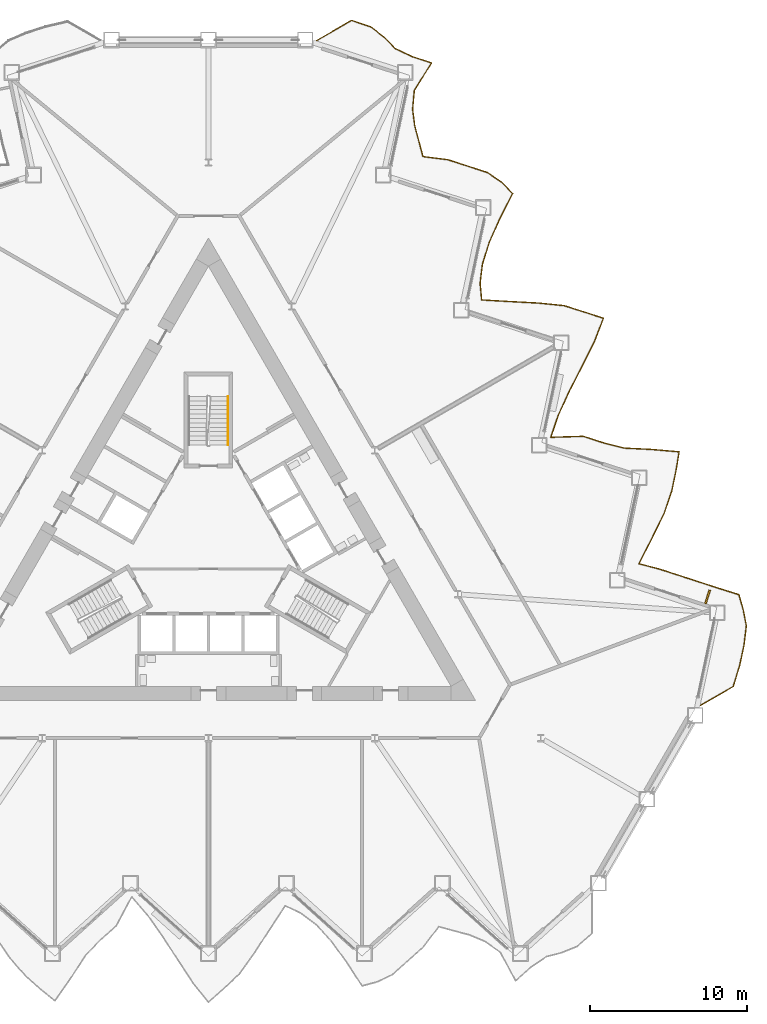
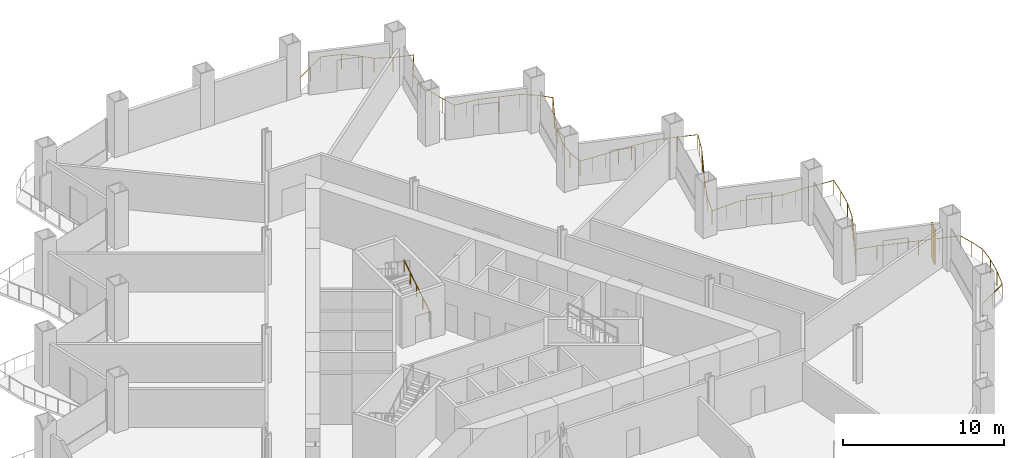
# One storey, part 18 of 20: 2 railings, 1 shading device.
"""IFC4 building model written with IfcOpenShell, lengths in metres."""

from ifc_helpers import new_model, si_unit, direction, frame, origin, origin_2d, place, context, subcontext, project, spatial, rectangle, circle, extrude, material, layer, layer_set, type_object, element, save


model = new_model("IFC4")

# Units and contexts
model_context = context("Model", 3, precision=1e-05, world=origin(), true_north=direction((0.0, 1.0)))
body_context = subcontext(model_context, "Body", "Model", "MODEL_VIEW")
ifc_project = project(units=[si_unit("LENGTHUNIT", "METRE"), si_unit("AREAUNIT", "SQUARE_METRE"), si_unit("VOLUMEUNIT", "CUBIC_METRE"), si_unit("PLANEANGLEUNIT", "RADIAN"), si_unit("MASSUNIT", "GRAM", prefix="KILO")], contexts=[model_context])

# Site, building, storey
site_placement = place(None, origin())
site = spatial("IfcSite", under=ifc_project, at=site_placement, CompositionType="ELEMENT")
building_placement = place(site_placement, origin())
building = spatial("IfcBuilding", under=site, at=building_placement, Name="Cormorant Prow Tower", CompositionType="ELEMENT")
storey_placement = place(building_placement, frame((0.0, 0.0, 55.199951171875)))
storey = spatial("IfcBuildingStorey", under=building, at=storey_placement, Name="L11", CompositionType="ELEMENT", Elevation=55.199951171875)

# Railings
ifc_material_1 = material(Name="Aluminium 6063-T6", Category="aluminium")
railing_type_1 = type_object("IfcRailingType", Name="Balcony guard 1100", PredefinedType="GUARDRAIL", material=ifc_material_1)
railing_1_placement = place(storey_placement, frame((31.3291015625, -10.131591796875, 0.0)))
element("IfcRailing", 1, at=railing_1_placement, inside=storey, type_object=railing_type_1, Name="Balcony guard ENE", PredefinedType="GUARDRAIL", context=body_context, shape_type="SweptSolid", body=[
    extrude(circle(Radius=0.02392578125, at=origin_2d()), frame((0.0, 0.0, 1.076171875), z_axis=(0.866028295127, 0.499994992015, 0.0), x_axis=(-0.499994992015, 0.866028295127, 0.0)), (0.0, 0.0, 1.0), 2.40380859375),
    extrude(circle(Radius=0.02392578125, at=origin_2d()), frame((2.081787109375, 1.201904296875, 1.076171875), z_axis=(0.291568684653, 0.956549895264, 0.0), x_axis=(-0.956549895264, 0.291568684653, 0.0)), (0.0, 0.0, 1.0), 1.431884765625),
    extrude(circle(Radius=0.02392578125, at=origin_2d()), frame((2.499267578125, 2.571533203125, 1.076171875), z_axis=(0.207843219599, 0.978162152236, 0.0), x_axis=(-0.978162152236, 0.207843219599, 0.0)), (0.0, 0.0, 1.0), 1.315673828125),
    extrude(circle(Radius=0.02392578125, at=origin_2d()), frame((2.772705078125, 3.8583984375, 1.076171875), z_axis=(0.119137338325, 0.99287778433, 0.0), x_axis=(-0.99287778433, 0.119137338325, 0.0)), (0.0, 0.0, 1.0), 1.221435546875),
    extrude(circle(Radius=0.02392578125, at=origin_2d()), frame((2.918212890625, 5.071044921875, 1.076171875), z_axis=(-0.192070964162, 0.981381039518, 0.0), x_axis=(-0.981381039518, -0.192070964162, 0.0)), (0.0, 0.0, 1.0), 1.033447265625),
    extrude(circle(Radius=0.02392578125, at=origin_2d()), frame((2.7197265625, 6.085205078125, 1.076171875), z_axis=(-0.277057369116, 0.960853378106, 0.0), x_axis=(-0.960853378106, -0.277057369116, 0.0)), (0.0, 0.0, 1.0), 1.007080078125),
    extrude(circle(Radius=0.02392578125, at=origin_2d()), frame((2.440673828125, 7.052978515625, 1.076171875), z_axis=(-0.954349059567, 0.298693609745, 0.0), x_axis=(-0.298693609745, -0.954349059567, 0.0)), (0.0, 0.0, 1.0), 1.328125),
    extrude(circle(Radius=0.02392578125, at=origin_2d()), frame((1.173095703125, 7.44970703125, 1.076171875), z_axis=(-0.95106815658, 0.308981166967, 0.0), x_axis=(-0.308981166967, -0.95106815658, 0.0)), (0.0, 0.0, 1.0), 1.315673828125),
    extrude(circle(Radius=0.02392578125, at=origin_2d()), frame((-0.078125, 7.856201171875, 1.076171875), z_axis=(-0.951050435231, 0.30903570934, 0.0), x_axis=(-0.30903570934, -0.951050435231, 0.0)), (0.0, 0.0, 1.0), 1.3154296875),
    extrude(circle(Radius=0.02392578125, at=origin_2d()), frame((-1.3291015625, 8.2626953125, 1.076171875), z_axis=(-0.95106815658, 0.308981166967, 0.0), x_axis=(-0.308981166967, -0.95106815658, 0.0)), (0.0, 0.0, 1.0), 1.315673828125),
    extrude(circle(Radius=0.02392578125, at=origin_2d()), frame((-2.580322265625, 8.669189453125, 1.076171875), z_axis=(-0.967233662094, 0.253887854991, 0.0), x_axis=(-0.253887854991, -0.967233662094, 0.0)), (0.0, 0.0, 1.0), 1.389404296875),
    extrude(circle(Radius=0.02392578125, at=origin_2d()), frame((-3.92431640625, 9.02197265625, 1.076171875), z_axis=(0.45708818819, 0.889421378322, 0.0), x_axis=(-0.889421378322, 0.45708818819, 0.0)), (0.0, 0.0, 1.0), 1.8046875),
    extrude(circle(Radius=0.02392578125, at=origin_2d()), frame((-3.099365234375, 10.627197265625, 1.076171875), z_axis=(0.44063445979, 0.897686622851, 0.0), x_axis=(-0.897686622851, 0.44063445979, 0.0)), (0.0, 0.0, 1.0), 1.754638671875),
    extrude(circle(Radius=0.02392578125, at=origin_2d()), frame((-2.326171875, 12.202392578125, 1.076171875), z_axis=(0.325359186803, 0.945590503105, 0.0), x_axis=(-0.945590503105, 0.325359186803, 0.0)), (0.0, 0.0, 1.0), 1.489501953125),
    extrude(circle(Radius=0.02392578125, at=origin_2d()), frame((-1.841552734375, 13.61083984375, 1.076171875), z_axis=(0.207880954361, 0.978154133465, 0.0), x_axis=(-0.978154133465, 0.207880954361, 0.0)), (0.0, 0.0, 1.0), 1.3154296875),
    extrude(circle(Radius=0.02392578125, at=origin_2d()), frame((-1.568115234375, 14.8974609375, 1.076171875), z_axis=(0.162739584214, 0.986669056842, 0.0), x_axis=(-0.986669056842, 0.162739584214, 0.0)), (0.0, 0.0, 1.0), 1.2646484375),
    extrude(circle(Radius=0.02392578125, at=origin_2d()), frame((-1.3623046875, 16.145263671875, 1.076171875), z_axis=(-0.996170344756, 0.087433656158, 0.0), x_axis=(-0.087433656158, -0.996170344756, 0.0)), (0.0, 0.0, 1.0), 1.703369140625),
    extrude(circle(Radius=0.02392578125, at=origin_2d()), frame((-3.05908203125, 16.294189453125, 1.076171875), z_axis=(-0.998770844502, 0.049566119198, 0.0), x_axis=(-0.049566119198, -0.998770844502, 0.0)), (0.0, 0.0, 1.0), 1.802734375),
    extrude(circle(Radius=0.02392578125, at=origin_2d()), frame((-4.859619140625, 16.383544921875, 1.076171875), z_axis=(-0.969139593685, 0.24651257159, 0.0), x_axis=(-0.24651257159, -0.969139593685, 0.0)), (0.0, 0.0, 1.0), 1.400390625),
    extrude(circle(Radius=0.02392578125, at=origin_2d()), frame((-6.216796875, 16.728759765625, 1.076171875), z_axis=(-0.951122678146, 0.308813294914, 0.0), x_axis=(-0.308813294914, -0.951122678146, 0.0)), (0.0, 0.0, 1.0), 1.3154296875),
    extrude(circle(Radius=0.02392578125, at=origin_2d()), frame((-7.468017578125, 17.135009765625, 1.076171875), z_axis=(-0.999524557698, -0.030832751396, 0.0), x_axis=(0.030832751396, -0.999524557698, 0.0)), (0.0, 0.0, 1.0), 2.066650390625),
    extrude(circle(Radius=0.02392578125, at=origin_2d()), frame((-9.53369140625, 17.0712890625, 1.076171875), z_axis=(0.322292029461, 0.946640294804, 0.0), x_axis=(-0.946640294804, 0.322292029461, 0.0)), (0.0, 0.0, 1.0), 1.48388671875),
    extrude(circle(Radius=0.02392578125, at=origin_2d()), frame((-9.055419921875, 18.47607421875, 1.076171875), z_axis=(0.417271310622, 0.908781961381, 0.0), x_axis=(-0.908781961381, 0.417271310622, 0.0)), (0.0, 0.0, 1.0), 1.6904296875),
    extrude(circle(Radius=0.02392578125, at=origin_2d()), frame((-8.35009765625, 20.01220703125, 1.076171875), z_axis=(0.455498311896, 0.890236647111, 0.0), x_axis=(-0.890236647111, 0.455498311896, 0.0)), (0.0, 0.0, 1.0), 1.79931640625),
    extrude(circle(Radius=0.02392578125, at=origin_2d()), frame((-7.530517578125, 21.614013671875, 1.076171875), z_axis=(0.446497072921, 0.894785093681, 0.0), x_axis=(-0.894785093681, 0.446497072921, 0.0)), (0.0, 0.0, 1.0), 1.772216796875),
    extrude(circle(Radius=0.02392578125, at=origin_2d()), frame((-6.7392578125, 23.19970703125, 1.076171875), z_axis=(0.358431464982, 0.933556042726, 0.0), x_axis=(-0.933556042726, 0.358431464982, 0.0)), (0.0, 0.0, 1.0), 1.5537109375),
    extrude(circle(Radius=0.02392578125, at=origin_2d()), frame((-6.182373046875, 24.650146484375, 1.076171875), z_axis=(-0.951122678146, 0.308813294914, 0.0), x_axis=(-0.308813294914, -0.951122678146, 0.0)), (0.0, 0.0, 1.0), 1.3154296875),
    extrude(circle(Radius=0.02392578125, at=origin_2d()), frame((-7.43359375, 25.056396484375, 1.076171875), z_axis=(-0.953643881529, 0.300937447358, 0.0), x_axis=(-0.300937447358, -0.953643881529, 0.0)), (0.0, 0.0, 1.0), 1.32568359375),
    extrude(circle(Radius=0.02392578125, at=origin_2d()), frame((-8.69775390625, 25.455322265625, 1.076171875), z_axis=(-0.995097574217, 0.09889801711, 0.0), x_axis=(-0.09889801711, -0.995097574217, 0.0)), (0.0, 0.0, 1.0), 1.67626953125),
    extrude(circle(Radius=0.02392578125, at=origin_2d()), frame((-10.36572265625, 25.62109375, 1.076171875), z_axis=(-0.998635801045, 0.052216251035, 0.0), x_axis=(-0.052216251035, -0.998635801045, 0.0)), (0.0, 0.0, 1.0), 1.79541015625),
    extrude(circle(Radius=0.02392578125, at=origin_2d()), frame((-12.15869140625, 25.71484375, 1.076171875), z_axis=(-0.998322755182, 0.057893665341, 0.0), x_axis=(-0.057893665341, -0.998322755182, 0.0)), (0.0, 0.0, 1.0), 1.779541015625),
    extrude(circle(Radius=0.02392578125, at=origin_2d()), frame((-13.935302734375, 25.81787109375, 1.076171875), z_axis=(-0.091415167566, 0.99581286753, 0.0), x_axis=(-0.99581286753, -0.091415167566, 0.0)), (0.0, 0.0, 1.0), 1.076171875),
    extrude(circle(Radius=0.02392578125, at=origin_2d()), frame((-14.03369140625, 26.8896484375, 1.076171875), z_axis=(0.123863168614, 0.992299307397, 0.0), x_axis=(-0.992299307397, 0.123863168614, 0.0)), (0.0, 0.0, 1.0), 1.22607421875),
    extrude(circle(Radius=0.02392578125, at=origin_2d()), frame((-13.8818359375, 28.106201171875, 1.076171875), z_axis=(0.30028303129, 0.95385014605, 0.0), x_axis=(-0.95385014605, 0.30028303129, 0.0)), (0.0, 0.0, 1.0), 1.4462890625),
    extrude(circle(Radius=0.02392578125, at=origin_2d()), frame((-13.447509765625, 29.48583984375, 1.076171875), z_axis=(0.406138466053, 0.91381154862, 0.0), x_axis=(-0.91381154862, 0.406138466053, 0.0)), (0.0, 0.0, 1.0), 1.66162109375),
    extrude(circle(Radius=0.02392578125, at=origin_2d()), frame((-12.772705078125, 31.004150390625, 1.076171875), z_axis=(0.452605619948, 0.891710801096, 0.0), x_axis=(-0.891710801096, 0.452605619948, 0.0)), (0.0, 0.0, 1.0), 1.790283203125),
    extrude(circle(Radius=0.02392578125, at=origin_2d()), frame((-11.96240234375, 32.6005859375, 1.076171875), z_axis=(-0.709392215106, 0.704813936544, 0.0), x_axis=(-0.704813936544, -0.709392215106, 0.0)), (0.0, 0.0, 1.0), 1.01318359375),
    extrude(circle(Radius=0.02392578125, at=origin_2d()), frame((-12.68115234375, 33.314697265625, 1.076171875), z_axis=(-0.823343636719, 0.567543175339, 0.0), x_axis=(-0.567543175339, -0.823343636719, 0.0)), (0.0, 0.0, 1.0), 1.082275390625),
    extrude(circle(Radius=0.02392578125, at=origin_2d()), frame((-13.572265625, 33.928955078125, 1.076171875), z_axis=(-0.951050435231, 0.30903570934, 0.0), x_axis=(-0.30903570934, -0.951050435231, 0.0)), (0.0, 0.0, 1.0), 1.3154296875),
    extrude(circle(Radius=0.02392578125, at=origin_2d()), frame((-14.8232421875, 34.33544921875, 1.076171875), z_axis=(-0.95106815658, 0.308981166967, 0.0), x_axis=(-0.308981166967, -0.95106815658, 0.0)), (0.0, 0.0, 1.0), 1.315673828125),
    extrude(circle(Radius=0.02392578125, at=origin_2d()), frame((-16.074462890625, 34.741943359375, 1.076171875), z_axis=(-0.991950992504, 0.126622385348, 0.0), x_axis=(-0.126622385348, -0.991950992504, 0.0)), (0.0, 0.0, 1.0), 1.61376953125),
    extrude(circle(Radius=0.02392578125, at=origin_2d()), frame((-17.67529296875, 34.9462890625, 1.076171875), z_axis=(-0.253912214246, 0.967227267738, 0.0), x_axis=(-0.967227267738, -0.253912214246, 0.0)), (0.0, 0.0, 1.0), 1.013427734375),
    extrude(circle(Radius=0.02392578125, at=origin_2d()), frame((-17.9326171875, 35.926513671875, 1.076171875), z_axis=(-0.261687233398, 0.965152729819, 0.0), x_axis=(-0.965152729819, -0.261687233398, 0.0)), (0.0, 0.0, 1.0), 1.01123046875),
    extrude(circle(Radius=0.02392578125, at=origin_2d()), frame((-18.197265625, 36.902587890625, 1.076171875), z_axis=(-0.124261304675, 0.992249529181, 0.0), x_axis=(-0.992249529181, -0.124261304675, 0.0)), (0.0, 0.0, 1.0), 1.06103515625),
    extrude(circle(Radius=0.02392578125, at=origin_2d()), frame((-18.3291015625, 37.955322265625, 1.076171875), z_axis=(0.089467495332, 0.995989742557, 0.0), x_axis=(-0.995989742557, 0.089467495332, 0.0)), (0.0, 0.0, 1.0), 1.1953125),
    extrude(circle(Radius=0.02392578125, at=origin_2d()), frame((-18.22216796875, 39.145751953125, 1.076171875), z_axis=(0.528039693597, 0.84921969006, 0.0), x_axis=(-0.84921969006, 0.528039693597, 0.0)), (0.0, 0.0, 1.0), 2.07373046875),
    extrude(circle(Radius=0.02392578125, at=origin_2d()), frame((-17.127197265625, 40.90673828125, 1.076171875), z_axis=(-0.951050435231, 0.30903570934, 0.0), x_axis=(-0.30903570934, -0.951050435231, 0.0)), (0.0, 0.0, 1.0), 1.3154296875),
    extrude(circle(Radius=0.02392578125, at=origin_2d()), frame((-18.378173828125, 41.313232421875, 1.076171875), z_axis=(-0.900774449028, 0.434287222904, 0.0), x_axis=(-0.434287222904, -0.900774449028, 0.0)), (0.0, 0.0, 1.0), 1.182861328125),
    extrude(circle(Radius=0.02392578125, at=origin_2d()), frame((-19.443603515625, 41.826904296875, 1.076171875), z_axis=(-0.701158389728, 0.713005548726, 0.0), x_axis=(-0.713005548726, -0.701158389728, 0.0)), (0.0, 0.0, 1.0), 1.009765625),
    extrude(circle(Radius=0.02392578125, at=origin_2d()), frame((-20.151611328125, 42.546875, 1.076171875), z_axis=(-0.787690684172, 0.616070926168, 0.0), x_axis=(-0.616070926168, -0.787690684172, 0.0)), (0.0, 0.0, 1.0), 1.05419921875),
    extrude(circle(Radius=0.02392578125, at=origin_2d()), frame((-20.98193359375, 43.1962890625, 1.076171875), z_axis=(-0.946922575113, 0.321461718936, 0.0), x_axis=(-0.321461718936, -0.946922575113, 0.0)), (0.0, 0.0, 1.0), 1.30029296875),
    extrude(circle(Radius=0.02392578125, at=origin_2d()), frame((-22.213134765625, 43.6142578125, 1.076171875), z_axis=(-0.866013163002, -0.500021201058, 0.0), x_axis=(0.500021201058, -0.866013163002, 0.0)), (0.0, 0.0, 1.0), 2.5703125),
    extrude(circle(Radius=0.02099609375, at=origin_2d()), origin(), (0.0, 0.0, 1.0), 1.052001953125),
    extrude(circle(Radius=0.02099609375, at=origin_2d()), frame((1.041015625, 0.60107421875, 0.0)), (0.0, 0.0, 1.0), 1.052001953125),
    extrude(circle(Radius=0.02099609375, at=origin_2d()), frame((2.081787109375, 1.201904296875, 0.0)), (0.0, 0.0, 1.0), 1.052001953125),
    extrude(circle(Radius=0.02099609375, at=origin_2d()), frame((2.499267578125, 2.571533203125, 0.0)), (0.0, 0.0, 1.0), 1.052001953125),
    extrude(circle(Radius=0.02099609375, at=origin_2d()), frame((2.772705078125, 3.8583984375, 0.0)), (0.0, 0.0, 1.0), 1.052001953125),
    extrude(circle(Radius=0.02099609375, at=origin_2d()), frame((2.918212890625, 5.071044921875, 0.0)), (0.0, 0.0, 1.0), 1.052001953125),
    extrude(circle(Radius=0.02099609375, at=origin_2d()), frame((2.7197265625, 6.085205078125, 0.0)), (0.0, 0.0, 1.0), 1.052001953125),
    extrude(circle(Radius=0.02099609375, at=origin_2d()), frame((2.440673828125, 7.052978515625, 0.0)), (0.0, 0.0, 1.0), 1.052001953125),
    extrude(circle(Radius=0.02099609375, at=origin_2d()), frame((1.173095703125, 7.44970703125, 0.0)), (0.0, 0.0, 1.0), 1.052001953125),
    extrude(circle(Radius=0.02099609375, at=origin_2d()), frame((-0.078125, 7.856201171875, 0.0)), (0.0, 0.0, 1.0), 1.052001953125),
    extrude(circle(Radius=0.02099609375, at=origin_2d()), frame((-1.3291015625, 8.2626953125, 0.0)), (0.0, 0.0, 1.0), 1.052001953125),
    extrude(circle(Radius=0.02099609375, at=origin_2d()), frame((-2.580322265625, 8.669189453125, 0.0)), (0.0, 0.0, 1.0), 1.052001953125),
    extrude(circle(Radius=0.02099609375, at=origin_2d()), frame((-3.92431640625, 9.02197265625, 0.0)), (0.0, 0.0, 1.0), 1.052001953125),
    extrude(circle(Radius=0.02099609375, at=origin_2d()), frame((-3.51171875, 9.82470703125, 0.0)), (0.0, 0.0, 1.0), 1.052001953125),
    extrude(circle(Radius=0.02099609375, at=origin_2d()), frame((-3.099365234375, 10.627197265625, 0.0)), (0.0, 0.0, 1.0), 1.052001953125),
    extrude(circle(Radius=0.02099609375, at=origin_2d()), frame((-2.712890625, 11.414794921875, 0.0)), (0.0, 0.0, 1.0), 1.052001953125),
    extrude(circle(Radius=0.02099609375, at=origin_2d()), frame((-2.326171875, 12.202392578125, 0.0)), (0.0, 0.0, 1.0), 1.052001953125),
    extrude(circle(Radius=0.02099609375, at=origin_2d()), frame((-1.841552734375, 13.61083984375, 0.0)), (0.0, 0.0, 1.0), 1.052001953125),
    extrude(circle(Radius=0.02099609375, at=origin_2d()), frame((-1.568115234375, 14.8974609375, 0.0)), (0.0, 0.0, 1.0), 1.052001953125),
    extrude(circle(Radius=0.02099609375, at=origin_2d()), frame((-1.3623046875, 16.145263671875, 0.0)), (0.0, 0.0, 1.0), 1.052001953125),
    extrude(circle(Radius=0.02099609375, at=origin_2d()), frame((-2.210693359375, 16.2197265625, 0.0)), (0.0, 0.0, 1.0), 1.052001953125),
    extrude(circle(Radius=0.02099609375, at=origin_2d()), frame((-3.05908203125, 16.294189453125, 0.0)), (0.0, 0.0, 1.0), 1.052001953125),
    extrude(circle(Radius=0.02099609375, at=origin_2d()), frame((-3.95947265625, 16.3388671875, 0.0)), (0.0, 0.0, 1.0), 1.052001953125),
    extrude(circle(Radius=0.02099609375, at=origin_2d()), frame((-4.859619140625, 16.383544921875, 0.0)), (0.0, 0.0, 1.0), 1.052001953125),
    extrude(circle(Radius=0.02099609375, at=origin_2d()), frame((-6.216796875, 16.728759765625, 0.0)), (0.0, 0.0, 1.0), 1.052001953125),
    extrude(circle(Radius=0.02099609375, at=origin_2d()), frame((-7.468017578125, 17.135009765625, 0.0)), (0.0, 0.0, 1.0), 1.052001953125),
    extrude(circle(Radius=0.02099609375, at=origin_2d()), frame((-8.5009765625, 17.10302734375, 0.0)), (0.0, 0.0, 1.0), 1.052001953125),
    extrude(circle(Radius=0.02099609375, at=origin_2d()), frame((-9.53369140625, 17.0712890625, 0.0)), (0.0, 0.0, 1.0), 1.052001953125),
    extrude(circle(Radius=0.02099609375, at=origin_2d()), frame((-9.055419921875, 18.47607421875, 0.0)), (0.0, 0.0, 1.0), 1.052001953125),
    extrude(circle(Radius=0.02099609375, at=origin_2d()), frame((-8.70263671875, 19.244140625, 0.0)), (0.0, 0.0, 1.0), 1.052001953125),
    extrude(circle(Radius=0.02099609375, at=origin_2d()), frame((-8.35009765625, 20.01220703125, 0.0)), (0.0, 0.0, 1.0), 1.052001953125),
    extrude(circle(Radius=0.02099609375, at=origin_2d()), frame((-7.9404296875, 20.81298828125, 0.0)), (0.0, 0.0, 1.0), 1.052001953125),
    extrude(circle(Radius=0.02099609375, at=origin_2d()), frame((-7.530517578125, 21.614013671875, 0.0)), (0.0, 0.0, 1.0), 1.052001953125),
    extrude(circle(Radius=0.02099609375, at=origin_2d()), frame((-7.134765625, 22.40673828125, 0.0)), (0.0, 0.0, 1.0), 1.052001953125),
    extrude(circle(Radius=0.02099609375, at=origin_2d()), frame((-6.7392578125, 23.19970703125, 0.0)), (0.0, 0.0, 1.0), 1.052001953125),
    extrude(circle(Radius=0.02099609375, at=origin_2d()), frame((-6.4609375, 23.9248046875, 0.0)), (0.0, 0.0, 1.0), 1.052001953125),
    extrude(circle(Radius=0.02099609375, at=origin_2d()), frame((-6.182373046875, 24.650146484375, 0.0)), (0.0, 0.0, 1.0), 1.052001953125),
    extrude(circle(Radius=0.02099609375, at=origin_2d()), frame((-7.43359375, 25.056396484375, 0.0)), (0.0, 0.0, 1.0), 1.052001953125),
    extrude(circle(Radius=0.02099609375, at=origin_2d()), frame((-8.69775390625, 25.455322265625, 0.0)), (0.0, 0.0, 1.0), 1.052001953125),
    extrude(circle(Radius=0.02099609375, at=origin_2d()), frame((-9.53173828125, 25.5380859375, 0.0)), (0.0, 0.0, 1.0), 1.052001953125),
    extrude(circle(Radius=0.02099609375, at=origin_2d()), frame((-10.36572265625, 25.62109375, 0.0)), (0.0, 0.0, 1.0), 1.052001953125),
    extrude(circle(Radius=0.02099609375, at=origin_2d()), frame((-11.26220703125, 25.66796875, 0.0)), (0.0, 0.0, 1.0), 1.052001953125),
    extrude(circle(Radius=0.02099609375, at=origin_2d()), frame((-12.15869140625, 25.71484375, 0.0)), (0.0, 0.0, 1.0), 1.052001953125),
    extrude(circle(Radius=0.02099609375, at=origin_2d()), frame((-13.046875, 25.766357421875, 0.0)), (0.0, 0.0, 1.0), 1.052001953125),
    extrude(circle(Radius=0.02099609375, at=origin_2d()), frame((-13.935302734375, 25.81787109375, 0.0)), (0.0, 0.0, 1.0), 1.052001953125),
    extrude(circle(Radius=0.02099609375, at=origin_2d()), frame((-14.03369140625, 26.8896484375, 0.0)), (0.0, 0.0, 1.0), 1.052001953125),
    extrude(circle(Radius=0.02099609375, at=origin_2d()), frame((-13.8818359375, 28.106201171875, 0.0)), (0.0, 0.0, 1.0), 1.052001953125),
    extrude(circle(Radius=0.02099609375, at=origin_2d()), frame((-13.447509765625, 29.48583984375, 0.0)), (0.0, 0.0, 1.0), 1.052001953125),
    extrude(circle(Radius=0.02099609375, at=origin_2d()), frame((-13.110107421875, 30.2451171875, 0.0)), (0.0, 0.0, 1.0), 1.052001953125),
    extrude(circle(Radius=0.02099609375, at=origin_2d()), frame((-12.772705078125, 31.004150390625, 0.0)), (0.0, 0.0, 1.0), 1.052001953125),
    extrude(circle(Radius=0.02099609375, at=origin_2d()), frame((-12.36767578125, 31.80224609375, 0.0)), (0.0, 0.0, 1.0), 1.052001953125),
    extrude(circle(Radius=0.02099609375, at=origin_2d()), frame((-11.96240234375, 32.6005859375, 0.0)), (0.0, 0.0, 1.0), 1.052001953125),
    extrude(circle(Radius=0.02099609375, at=origin_2d()), frame((-12.68115234375, 33.314697265625, 0.0)), (0.0, 0.0, 1.0), 1.052001953125),
    extrude(circle(Radius=0.02099609375, at=origin_2d()), frame((-13.572265625, 33.928955078125, 0.0)), (0.0, 0.0, 1.0), 1.052001953125),
    extrude(circle(Radius=0.02099609375, at=origin_2d()), frame((-14.8232421875, 34.33544921875, 0.0)), (0.0, 0.0, 1.0), 1.052001953125),
    extrude(circle(Radius=0.02099609375, at=origin_2d()), frame((-16.074462890625, 34.741943359375, 0.0)), (0.0, 0.0, 1.0), 1.052001953125),
    extrude(circle(Radius=0.02099609375, at=origin_2d()), frame((-16.875, 34.84423828125, 0.0)), (0.0, 0.0, 1.0), 1.052001953125),
    extrude(circle(Radius=0.02099609375, at=origin_2d()), frame((-17.67529296875, 34.9462890625, 0.0)), (0.0, 0.0, 1.0), 1.052001953125),
    extrude(circle(Radius=0.02099609375, at=origin_2d()), frame((-17.9326171875, 35.926513671875, 0.0)), (0.0, 0.0, 1.0), 1.052001953125),
    extrude(circle(Radius=0.02099609375, at=origin_2d()), frame((-18.197265625, 36.902587890625, 0.0)), (0.0, 0.0, 1.0), 1.052001953125),
    extrude(circle(Radius=0.02099609375, at=origin_2d()), frame((-18.3291015625, 37.955322265625, 0.0)), (0.0, 0.0, 1.0), 1.052001953125),
    extrude(circle(Radius=0.02099609375, at=origin_2d()), frame((-18.22216796875, 39.145751953125, 0.0)), (0.0, 0.0, 1.0), 1.052001953125),
    extrude(circle(Radius=0.02099609375, at=origin_2d()), frame((-17.6748046875, 40.0263671875, 0.0)), (0.0, 0.0, 1.0), 1.052001953125),
    extrude(circle(Radius=0.02099609375, at=origin_2d()), frame((-17.127197265625, 40.90673828125, 0.0)), (0.0, 0.0, 1.0), 1.052001953125),
    extrude(circle(Radius=0.02099609375, at=origin_2d()), frame((-18.378173828125, 41.313232421875, 0.0)), (0.0, 0.0, 1.0), 1.052001953125),
    extrude(circle(Radius=0.02099609375, at=origin_2d()), frame((-19.443603515625, 41.826904296875, 0.0)), (0.0, 0.0, 1.0), 1.052001953125),
    extrude(circle(Radius=0.02099609375, at=origin_2d()), frame((-20.151611328125, 42.546875, 0.0)), (0.0, 0.0, 1.0), 1.052001953125),
    extrude(circle(Radius=0.02099609375, at=origin_2d()), frame((-20.98193359375, 43.1962890625, 0.0)), (0.0, 0.0, 1.0), 1.052001953125),
    extrude(circle(Radius=0.02099609375, at=origin_2d()), frame((-22.213134765625, 43.6142578125, 0.0)), (0.0, 0.0, 1.0), 1.052001953125),
    extrude(circle(Radius=0.02099609375, at=origin_2d()), frame((-23.326171875, 42.9716796875, 0.0)), (0.0, 0.0, 1.0), 1.052001953125),
    extrude(circle(Radius=0.02099609375, at=origin_2d()), frame((-24.43896484375, 42.3291015625, 0.0)), (0.0, 0.0, 1.0), 1.052001953125),
])
ifc_material_2 = material(Name="Stainless steel", Category="steel")
railing_type_2 = type_object("IfcRailingType", Name="Stair handrail 900", PredefinedType="HANDRAIL", material=ifc_material_2)
railing_2_placement = place(storey_placement, frame((1.243896484375, 6.455810546875, 0.175048828125)))
element("IfcRailing", 2, at=railing_2_placement, inside=storey, type_object=railing_type_2, Name="L11 ST3 stair handrail 1", PredefinedType="HANDRAIL", context=body_context, shape_type="SweptSolid", body=[
    extrude(circle(Radius=0.02392578125, at=origin_2d()), frame((0.0, 0.0, 0.8759765625), z_axis=(0.0, 0.847998304005, 0.529998940003), x_axis=(-1.0, 0.0, 0.0)), (0.0, 0.0, 1.0), 3.632080078125),
    extrude(circle(Radius=0.02099609375, at=origin_2d()), origin(), (0.0, 0.0, 1.0), 0.851806640625),
    extrude(circle(Radius=0.02099609375, at=origin_2d()), frame((0.0, 0.77001953125, 0.481201171875)), (0.0, 0.0, 1.0), 0.851806640625),
    extrude(circle(Radius=0.02099609375, at=origin_2d()), frame((0.0, 1.5400390625, 0.96240234375)), (0.0, 0.0, 1.0), 0.851806640625),
    extrude(circle(Radius=0.02099609375, at=origin_2d()), frame((0.0, 2.31005859375, 1.44384765625)), (0.0, 0.0, 1.0), 0.851806640625),
    extrude(circle(Radius=0.02099609375, at=origin_2d()), frame((0.0, 3.080078125, 1.925048828125)), (0.0, 0.0, 1.0), 0.851806640625),
])

# Shading device
ifc_material_3 = material(Name="Terracotta", Category="masonry")
ifc_layer = layer(ifc_material_3, 0.1201171875)
ifc_layer_set = layer_set([ifc_layer], Name="Terracotta")
shading_device_type = type_object("IfcShadingDeviceType", Name="Terracotta baguette fin 120x900x2600", PredefinedType="USERDEFINED", material=ifc_layer_set)
shading_device_placement = place(storey_placement, frame((31.78076171875, -3.224609375, 0.0), z_axis=(0.0, 0.0, 1.0), x_axis=(-0.951056533317, 0.309016941988, 0.0)))
element("IfcShadingDevice", 3, at=shading_device_placement, inside=storey, type_object=shading_device_type, Name="Baguette fin ENE01", ObjectType="BAGUETTE", PredefinedType="USERDEFINED", context=body_context, shape_type="SweptSolid", body=[
    extrude(rectangle(XDim=0.1201171875, YDim=0.89990234375, at=origin_2d()), origin(), (0.0, 0.0, 1.0), 2.60009765625),
])

save(model, "model.ifc")
